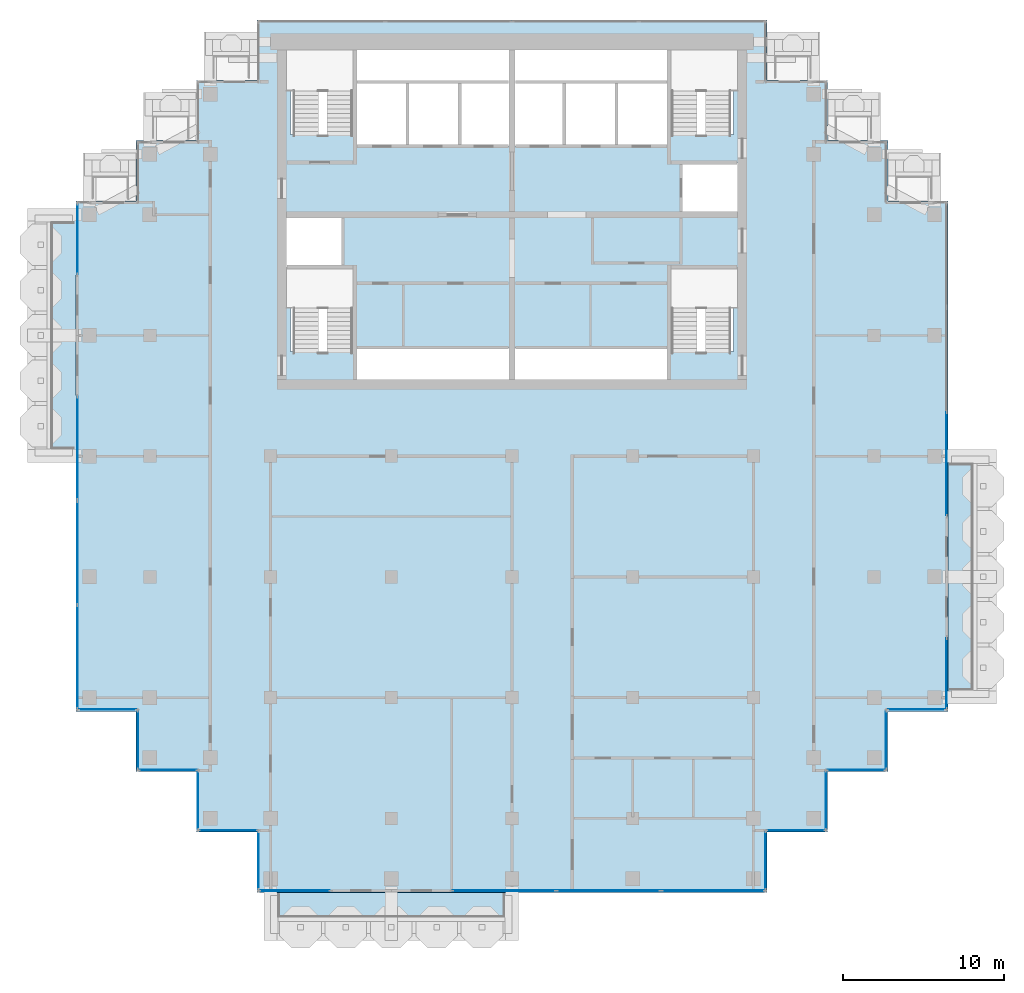
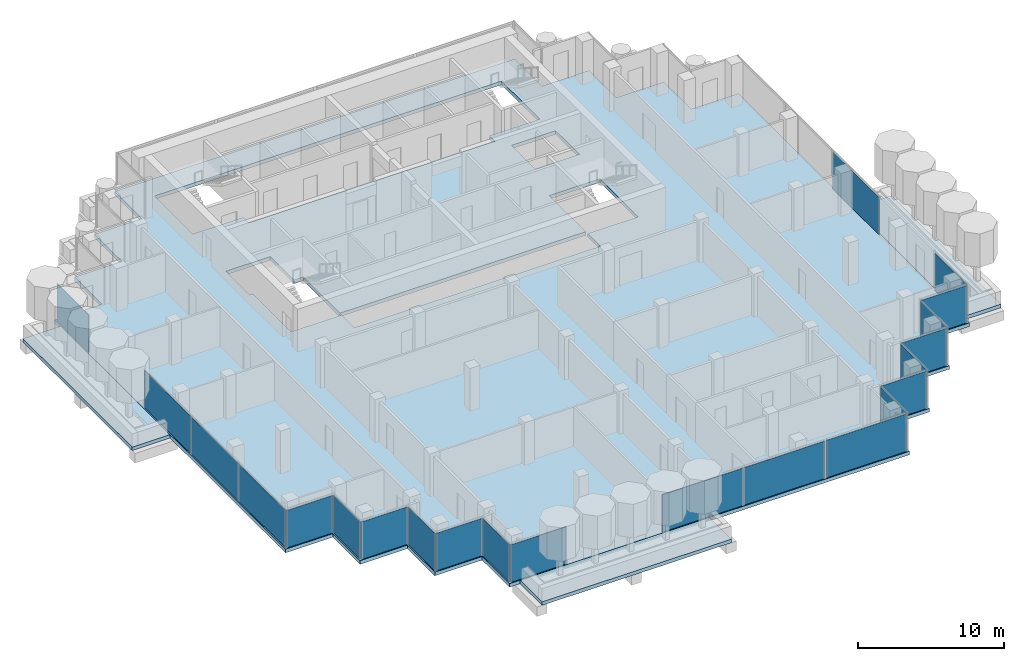
# One storey, part 8 of 18: 22 plates, 4 slabs, 20 elements without a shape of their own.
"""IFC4 building model written with IfcOpenShell, lengths in metres."""

import ifcopenshell
import ifcopenshell.guid

model = None  # the IFC model being written
_history = None  # IfcOwnerHistory: only IFC2X3 demands one
_inside = {}  # id of a spatial element -> (the spatial element, [elements in it])
_under = {}  # id of a project, library or spatial element -> (it, [spatial elements below it])
_declared = {}  # id of a project -> (the project, [libraries it declares])
_typed = {}  # id of a type object -> (the type object, [elements of that type])
_made_of = {}  # id of a material, layer set ... -> (it, [elements and type objects made of it])


def new_model(schema):
    """Start an empty IFC model of exactly this schema.

    Asked for "IFC4X3", IfcOpenShell would pick the latest addendum, in which some entities
    have other attributes; the version numbers below select the first issue.
    IFC2X3 requires an IfcOwnerHistory on every rooted entity: one is made here for all.
    """
    global model, _history
    if schema == "IFC4X3":
        model = ifcopenshell.file(schema_version=(4, 3, 0, 0))
    else:
        model = ifcopenshell.file(schema=schema)
    _inside.clear()
    _under.clear()
    _declared.clear()
    _typed.clear()
    _made_of.clear()
    _history = None
    if model.schema == "IFC2X3":
        org = make("IfcOrganization", Name="unknown")
        user = make(
            "IfcPersonAndOrganization",
            ThePerson=make("IfcPerson", FamilyName="unknown"),
            TheOrganization=org,
        )
        app = make(
            "IfcApplication",
            ApplicationDeveloper=org,
            Version="unknown",
            ApplicationFullName="unknown",
            ApplicationIdentifier="unknown",
        )
        _history = make(
            "IfcOwnerHistory",
            OwningUser=user,
            OwningApplication=app,
            ChangeAction="ADDED",
            CreationDate=0,
        )
    return model


def make(cls, **values):
    """One entity of the class cls with the attributes given. An attribute that is None is left unset."""
    return model.create_entity(
        cls, **{name: value for name, value in values.items() if value is not None}
    )


def rooted(cls, **values):
    """An entity with a GlobalId (a new one), such as an element, a storey or a relation."""
    return make(cls, GlobalId=ifcopenshell.guid.new(), OwnerHistory=_history, **values)


def si_unit(unit_type, name, prefix=None):
    """IfcSIUnit, for example si_unit("LENGTHUNIT", "METRE", prefix="MILLI")."""
    return make("IfcSIUnit", UnitType=unit_type, Prefix=prefix, Name=name)


def assignment(units):
    """IfcUnitAssignment: the units of a project."""
    return None if units is None else make("IfcUnitAssignment", Units=units)


def point(xyz):
    """IfcCartesianPoint."""
    return None if xyz is None else make("IfcCartesianPoint", Coordinates=xyz)


def direction(xyz):
    """IfcDirection."""
    return None if xyz is None else make("IfcDirection", DirectionRatios=xyz)


def frame(location, z_axis=None, x_axis=None):
    """IfcAxis2Placement3D, a coordinate frame: its origin and axes. An axis left out is left unset."""
    return make(
        "IfcAxis2Placement3D",
        Location=point(location),
        Axis=direction(z_axis),
        RefDirection=direction(x_axis),
    )


def frame_2d(location, x_axis=None):
    """IfcAxis2Placement2D, a coordinate frame in the plane: its origin and x axis."""
    return make(
        "IfcAxis2Placement2D", Location=point(location), RefDirection=direction(x_axis)
    )


def origin():
    """The frame at (0, 0, 0) with its axes left unset."""
    return frame((0.0, 0.0, 0.0))


def origin_2d():
    """The frame at (0, 0) in the plane with its x axis left unset."""
    return frame_2d((0.0, 0.0))


def place(relative_to, where):
    """IfcLocalPlacement: puts the frame where relative to a parent placement (None: the world)."""
    return make(
        "IfcLocalPlacement", PlacementRelTo=relative_to, RelativePlacement=where
    )


def context(
    kind, dimensions, precision=None, world=None, true_north=None, identifier=None
):
    """IfcGeometricRepresentationContext, for example the 3D "Model" context."""
    return make(
        "IfcGeometricRepresentationContext",
        ContextIdentifier=identifier,
        ContextType=kind,
        CoordinateSpaceDimension=dimensions,
        Precision=precision,
        WorldCoordinateSystem=world,
        TrueNorth=true_north,
    )


def subcontext(parent, identifier, kind, view, scale=None):
    """IfcGeometricRepresentationSubContext, for example "Body" below "Model"."""
    return make(
        "IfcGeometricRepresentationSubContext",
        ContextIdentifier=identifier,
        ContextType=kind,
        ParentContext=parent,
        TargetScale=scale,
        TargetView=view,
    )


def project(units=None, contexts=None):
    """IfcProject with its units and contexts."""
    return rooted(
        "IfcProject",
        Name="project",
        RepresentationContexts=contexts,
        UnitsInContext=assignment(units),
    )


def spatial(cls, under=None, at=None, **own):
    """A site, building, storey or space (cls), placed at a placement, below another one or the project."""
    s = rooted(cls, ObjectPlacement=at, **own)
    if under is not None:
        _under.setdefault(under.id(), (under, []))[1].append(s)
    return s


def polyline(points):
    """IfcPolyline through the points."""
    return make("IfcPolyline", Points=[point(p) for p in points])


def profile(cls, at=None, kind="AREA", **sizes):
    """A parametric profile (cls). Its sizes go by their IFC names, for example OverallWidth=200.0."""
    return make(cls, ProfileType=kind, Position=at, **sizes)


def rectangle(**sizes):
    """IfcRectangleProfileDef."""
    return profile("IfcRectangleProfileDef", **sizes)


def outline(outer, holes=None, kind="AREA"):
    """IfcArbitraryClosedProfileDef: a profile drawn as a closed curve; with holes, ...WithVoids."""
    if holes is None:
        return make("IfcArbitraryClosedProfileDef", ProfileType=kind, OuterCurve=outer)
    return make(
        "IfcArbitraryProfileDefWithVoids",
        ProfileType=kind,
        OuterCurve=outer,
        InnerCurves=holes,
    )


def extrude(swept, where, along, depth):
    """IfcExtrudedAreaSolid: the profile swept, set in the frame where, extruded along a direction by depth."""
    return make(
        "IfcExtrudedAreaSolid",
        SweptArea=swept,
        Position=where,
        ExtrudedDirection=direction(along),
        Depth=depth,
    )


def shape(context_of_items, identifier, shape_type, items):
    """IfcShapeRepresentation: the items that make up one representation, for example the "Body"."""
    return make(
        "IfcShapeRepresentation",
        ContextOfItems=context_of_items,
        RepresentationIdentifier=identifier,
        RepresentationType=shape_type,
        Items=items,
    )


def material(Name=None, Category=None):
    """IfcMaterial."""
    return make("IfcMaterial", Name=Name, Category=Category)


def layer(
    of_material, thickness, ventilated=None, Name=None, Category=None, Priority=None
):
    """IfcMaterialLayer: one layer of a wall or slab, of a material (None: an air gap)."""
    return make(
        "IfcMaterialLayer",
        Material=of_material,
        LayerThickness=thickness,
        IsVentilated=ventilated,
        Name=Name,
        Category=Category,
        Priority=Priority,
    )


def layer_set(layers, Name=None):
    """IfcMaterialLayerSet."""
    return make("IfcMaterialLayerSet", MaterialLayers=layers, LayerSetName=Name)


def made_of(thing, what):
    """Note that an element or type object is made of a material, layer set ...; save() writes the relation."""
    if what is not None:
        _made_of.setdefault(what.id(), (what, []))[1].append(thing)
    return thing


def type_object(cls, material=None, **own):
    """A type object (cls), such as IfcWallType, which elements share."""
    return made_of(rooted(cls, **own), material)


def element(
    cls,
    number,
    at=None,
    inside=None,
    cuts=None,
    type_object=None,
    material=None,
    context=None,
    identifier="Body",
    shape_type=None,
    held_by="IfcProductDefinitionShape",
    body=None,
    shapes=None,
    **own,
):
    """One element of the class cls, such as IfcWall. Its Tag is "e" and its number.

    at: its placement. inside: the storey or other place that contains it. cuts: it is an
    opening in that element (IfcRelVoidsElement). A single representation is given by context,
    identifier, shape_type and body (its items); several are given by shapes. held_by: the class
    of the entity that holds the representations. save() writes the other relations.
    """
    e = rooted(cls, Tag="e%d" % number, ObjectPlacement=at, **own)
    if body is not None:
        shapes = [shape(context, identifier, shape_type, body)]
    if shapes is not None:
        e.Representation = make(held_by, Representations=shapes)
    if inside is not None:
        _inside.setdefault(inside.id(), (inside, []))[1].append(e)
    if cuts is not None:
        rooted(
            "IfcRelVoidsElement", RelatingBuildingElement=cuts, RelatedOpeningElement=e
        )
    if type_object is not None:
        _typed.setdefault(type_object.id(), (type_object, []))[1].append(e)
    return made_of(e, material)


def aggregate(whole, parts):
    """IfcRelAggregates: a whole, such as a stair, and the parts it consists of."""
    return rooted("IfcRelAggregates", RelatingObject=whole, RelatedObjects=parts)


def save(model, path):
    """Write the relations noted so far, then the file.

    IfcRelAggregates (storeys below a building ...), IfcRelContainedInSpatialStructure (elements
    in a storey), IfcRelDefinesByType, IfcRelAssociatesMaterial and IfcRelDeclares: one each for
    every whole, place, type object, material and project.
    """
    for whole, parts in _under.values():
        aggregate(whole, parts)
    for where, things in _inside.values():
        rooted(
            "IfcRelContainedInSpatialStructure",
            RelatedElements=things,
            RelatingStructure=where,
        )
    for kind, things in _typed.values():
        rooted("IfcRelDefinesByType", RelatedObjects=things, RelatingType=kind)
    for what, things in _made_of.values():
        rooted("IfcRelAssociatesMaterial", RelatedObjects=things, RelatingMaterial=what)
    for by, libraries in _declared.values():
        rooted("IfcRelDeclares", RelatingContext=by, RelatedDefinitions=libraries)
    model.write(path)


model = new_model("IFC4")

# Units and contexts
model_context = context("Model", 3, precision=1e-05, world=origin(), true_north=direction((0.0, 1.0)))
body_context = subcontext(model_context, "Body", "Model", "MODEL_VIEW")
ifc_project = project(units=[si_unit("LENGTHUNIT", "METRE"), si_unit("AREAUNIT", "SQUARE_METRE"), si_unit("VOLUMEUNIT", "CUBIC_METRE"), si_unit("PLANEANGLEUNIT", "RADIAN"), si_unit("MASSUNIT", "GRAM", prefix="KILO")], contexts=[model_context])

# Site, building, storey
site_placement = place(None, origin())
site = spatial("IfcSite", under=ifc_project, at=site_placement, CompositionType="ELEMENT")
building_placement = place(site_placement, origin())
building = spatial("IfcBuilding", under=site, at=building_placement, Name="Pilkhan Gate Tower", CompositionType="ELEMENT")
storey_placement = place(building_placement, frame((0.0, 0.0, 228.300048828125)))
storey = spatial("IfcBuildingStorey", under=building, at=storey_placement, Name="L59", CompositionType="ELEMENT", Elevation=228.300048828125)

# Slabs
ifc_material_1 = material(Name="Concrete C60/75", Category="concrete")
ifc_layer_1 = layer(ifc_material_1, 0.300048828125)
ifc_layer_set_1 = layer_set([ifc_layer_1], Name="Balcony tray slab TR300")
slab_type_1 = type_object("IfcSlabType", Name="Balcony tray slab TR300", PredefinedType="FLOOR", material=ifc_layer_set_1)
slab_1_placement = place(storey_placement, frame((0.0, 0.0, -0.300048828125)))
element("IfcSlab", 1, at=slab_1_placement, inside=storey, type_object=slab_type_1, Name="Balcony tray L59 S", PredefinedType="FLOOR", context=body_context, shape_type="SweptSolid", body=[
    extrude(outline(polyline([(75.0, 37.39990234375), (75.0, 40.39990234375), (60.0, 40.39990234375), (60.0, 37.39990234375), (75.0, 37.39990234375)])), origin(), (0.0, 0.0, 1.0), 0.300048828125),
])
slab_2_placement = place(storey_placement, frame((0.0, 0.0, -0.300048828125)))
element("IfcSlab", 2, at=slab_2_placement, inside=storey, type_object=slab_type_1, Name="Balcony tray L59 E", PredefinedType="FLOOR", context=body_context, shape_type="SweptSolid", body=[
    extrude(outline(polyline([(105.10009765625, 52.5), (105.10009765625, 67.5), (102.10009765625, 67.5), (102.10009765625, 52.5), (105.10009765625, 52.5)])), origin(), (0.0, 0.0, 1.0), 0.300048828125),
])
slab_3_placement = place(storey_placement, frame((0.0, 0.0, -0.300048828125)))
element("IfcSlab", 3, at=slab_3_placement, inside=storey, type_object=slab_type_1, Name="Balcony tray L59 W", PredefinedType="FLOOR", context=body_context, shape_type="SweptSolid", body=[
    extrude(outline(polyline([(47.89990234375, 67.5), (47.89990234375, 82.5), (44.89990234375, 82.5), (44.89990234375, 67.5), (47.89990234375, 67.5)])), origin(), (0.0, 0.0, 1.0), 0.300048828125),
])
ifc_material_2 = material(Name="Concrete C40/50", Category="concrete")
ifc_layer_2 = layer(ifc_material_2, 0.300048828125)
ifc_layer_set_2 = layer_set([ifc_layer_2], Name="Flat plate slab FP300")
slab_type_2 = type_object("IfcSlabType", Name="Flat plate slab FP300", PredefinedType="FLOOR", material=ifc_layer_set_2)
slab_4_placement = place(storey_placement, frame((0.0, 0.0, -0.300048828125)))
element("IfcSlab", 4, at=slab_4_placement, inside=storey, type_object=slab_type_2, Name="Floor slab L59", PredefinedType="FLOOR", context=body_context, shape_type="SweptSolid", body=[
    extrude(outline(polyline([(98.35009765625, 47.89990234375), (94.60009765625, 47.89990234375), (94.60009765625, 44.14990234375), (90.85009765625, 44.14990234375), (90.85009765625, 40.39990234375), (59.14990234375, 40.39990234375), (59.14990234375, 44.14990234375), (55.39990234375, 44.14990234375), (55.39990234375, 47.89990234375), (51.64990234375, 47.89990234375), (51.64990234375, 51.64990234375), (47.89990234375, 51.64990234375), (47.89990234375, 83.35009765625), (51.64990234375, 83.35009765625), (51.64990234375, 87.10009765625), (55.39990234375, 87.10009765625), (55.39990234375, 90.85009765625), (59.14990234375, 90.85009765625), (59.14990234375, 94.60009765625), (90.85009765625, 94.60009765625), (90.85009765625, 90.85009765625), (94.60009765625, 90.85009765625), (94.60009765625, 87.10009765625), (98.35009765625, 87.10009765625), (98.35009765625, 83.35009765625), (102.10009765625, 83.35009765625), (102.10009765625, 51.64990234375), (98.35009765625, 51.64990234375), (98.35009765625, 47.89990234375)]), holes=[polyline([(75.0, 72.25), (84.75, 72.25), (84.75, 74.0), (88.75, 74.0), (88.75, 79.25), (84.75, 79.25), (84.75, 74.25), (75.0, 74.25), (65.25, 74.25), (65.25, 79.25), (64.5, 79.25), (64.5, 82.5), (61.25, 82.5), (61.0, 82.5), (61.0, 79.25), (61.25, 79.25), (61.25, 74.0), (65.25, 74.0), (65.25, 72.25), (75.0, 72.25)]), polyline([(68.5, 86.75), (71.75, 86.75), (75.0, 86.75), (78.25, 86.75), (81.5, 86.75), (84.75, 86.75), (84.75, 87.5), (88.75, 87.5), (88.75, 92.75), (84.75, 92.75), (75.0, 92.75), (65.25, 92.75), (61.25, 92.75), (61.25, 87.5), (65.25, 87.5), (65.25, 86.75), (68.5, 86.75)]), polyline([(85.5, 85.75), (85.5, 82.5), (88.75, 82.5), (89.0, 82.5), (89.0, 85.75), (88.75, 85.75), (85.5, 85.75)])]), origin(), (0.0, 0.0, 1.0), 0.300048828125),
])

# Curtain wall, plate
ifc_material_3 = material(Name="Pale anodised aluminium, clear low-iron double glazing", Category="aluminium")
curtain_wall_type = type_object("IfcCurtainWallType", Name="Office unitised curtain wall CW-O2", PredefinedType="USERDEFINED", material=ifc_material_3)
curtain_wall_1_placement = place(storey_placement, origin())
curtain_wall_1 = element("IfcCurtainWall", 5, at=curtain_wall_1_placement, inside=storey, type_object=curtain_wall_type, Name="Office unitised curtain wall CW-O2 L59 E", ObjectType="UNITISED CURTAIN WALL", PredefinedType="USERDEFINED")
ifc_material_4 = material(Name="Clear low-iron double glazing", Category="glass")
ifc_layer_3 = layer(ifc_material_4, 0.031982421875)
ifc_layer_set_3 = layer_set([ifc_layer_3], Name="Glass panel CW-O2 32")
plate_type = type_object("IfcPlateType", Name="Glass panel CW-O2 32", PredefinedType="CURTAIN_PANEL", material=ifc_layer_set_3)
plate_1_placement = place(storey_placement, frame((102.0, 54.0, 0.0), z_axis=(0.0, 0.0, 1.0), x_axis=(0.0, 1.0, 0.0)))
plate_1 = element("IfcPlate", 6, at=plate_1_placement, type_object=plate_type, Name="CW-O2 panel 1", PredefinedType="CURTAIN_PANEL", context=body_context, shape_type="SweptSolid", body=[
    extrude(rectangle(XDim=4.3701171875, YDim=0.031982421875, at=origin_2d()), origin(), (0.0, 0.0, 1.0), 3.135009765625),
])
aggregate(curtain_wall_1, [plate_1])

curtain_wall_2_placement = place(storey_placement, origin())
curtain_wall_2 = element("IfcCurtainWall", 7, at=curtain_wall_2_placement, inside=storey, type_object=curtain_wall_type, Name="Office unitised curtain wall CW-O2 L59 E", ObjectType="UNITISED CURTAIN WALL", PredefinedType="USERDEFINED")
plate_2_placement = place(storey_placement, frame((102.0, 67.016357421875, 0.0), z_axis=(0.0, 0.0, 1.0), x_axis=(0.0, 1.0, 0.0)))
plate_2 = element("IfcPlate", 8, at=plate_2_placement, type_object=plate_type, Name="CW-O2 panel 1", PredefinedType="CURTAIN_PANEL", context=body_context, shape_type="SweptSolid", body=[
    extrude(rectangle(XDim=6.402587890625, YDim=0.031982421875, at=origin_2d()), origin(), (0.0, 0.0, 1.0), 3.135009765625),
])
aggregate(curtain_wall_2, [plate_2])

# Curtain wall, plates
curtain_wall_3_placement = place(storey_placement, origin())
curtain_wall_3 = element("IfcCurtainWall", 9, at=curtain_wall_3_placement, inside=storey, type_object=curtain_wall_type, Name="Office unitised curtain wall CW-O2 L59 W", ObjectType="UNITISED CURTAIN WALL", PredefinedType="USERDEFINED")
plate_3_placement = place(storey_placement, frame((48.0, 55.016357421875, 0.0), z_axis=(0.0, 0.0, 1.0), x_axis=(0.0, 1.0, 0.0)))
plate_3 = element("IfcPlate", 10, at=plate_3_placement, type_object=plate_type, Name="CW-O2 panel 1", PredefinedType="CURTAIN_PANEL", context=body_context, shape_type="SweptSolid", body=[
    extrude(rectangle(XDim=6.402587890625, YDim=0.031982421875, at=origin_2d()), origin(), (0.0, 0.0, 1.0), 3.135009765625),
])
plate_4_placement = place(storey_placement, frame((48.0, 61.483642578125, 0.0), z_axis=(0.0, 0.0, 1.0), x_axis=(0.0, 1.0, 0.0)))
plate_4 = element("IfcPlate", 11, at=plate_4_placement, type_object=plate_type, Name="CW-O2 panel 2", PredefinedType="CURTAIN_PANEL", context=body_context, shape_type="SweptSolid", body=[
    extrude(rectangle(XDim=6.402587890625, YDim=0.031982421875, at=origin_2d()), origin(), (0.0, 0.0, 1.0), 3.135009765625),
])
aggregate(curtain_wall_3, [plate_3, plate_4])

# Curtain wall, plate
curtain_wall_4_placement = place(storey_placement, origin())
curtain_wall_4 = element("IfcCurtainWall", 12, at=curtain_wall_4_placement, inside=storey, type_object=curtain_wall_type, Name="Office unitised curtain wall CW-O2 L59 W", ObjectType="UNITISED CURTAIN WALL", PredefinedType="USERDEFINED")
plate_5_placement = place(storey_placement, frame((48.0, 68.0, 0.0), z_axis=(0.0, 0.0, 1.0), x_axis=(0.0, 1.0, 0.0)))
plate_5 = element("IfcPlate", 13, at=plate_5_placement, type_object=plate_type, Name="CW-O2 panel 1", PredefinedType="CURTAIN_PANEL", context=body_context, shape_type="SweptSolid", body=[
    extrude(rectangle(XDim=6.3701171875, YDim=0.031982421875, at=origin_2d()), origin(), (0.0, 0.0, 1.0), 3.135009765625),
])
aggregate(curtain_wall_4, [plate_5])

curtain_wall_5_placement = place(storey_placement, origin())
curtain_wall_5 = element("IfcCurtainWall", 14, at=curtain_wall_5_placement, inside=storey, type_object=curtain_wall_type, Name="Office unitised curtain wall CW-O2 L59 W", ObjectType="UNITISED CURTAIN WALL", PredefinedType="USERDEFINED")
plate_6_placement = place(storey_placement, frame((48.0, 81.0, 0.0), z_axis=(0.0, 0.0, 1.0), x_axis=(0.0, 1.0, 0.0)))
plate_6 = element("IfcPlate", 15, at=plate_6_placement, type_object=plate_type, Name="CW-O2 panel 1", PredefinedType="CURTAIN_PANEL", context=body_context, shape_type="SweptSolid", body=[
    extrude(rectangle(XDim=4.3701171875, YDim=0.031982421875, at=origin_2d()), origin(), (0.0, 0.0, 1.0), 3.135009765625),
])
aggregate(curtain_wall_5, [plate_6])

curtain_wall_6_placement = place(storey_placement, origin())
curtain_wall_6 = element("IfcCurtainWall", 16, at=curtain_wall_6_placement, inside=storey, type_object=curtain_wall_type, Name="Office unitised curtain wall CW-O2 L59 S", ObjectType="UNITISED CURTAIN WALL", PredefinedType="USERDEFINED")
plate_7_placement = place(storey_placement, frame((49.875, 51.75, 0.0), z_axis=(0.0, 0.0, 1.0), x_axis=(1.0, 0.0, 0.0)))
plate_7 = element("IfcPlate", 17, at=plate_7_placement, type_object=plate_type, Name="CW-O2 panel 1", PredefinedType="CURTAIN_PANEL", context=body_context, shape_type="SweptSolid", body=[
    extrude(rectangle(XDim=3.6201171875, YDim=0.031982421875, at=origin_2d()), origin(), (0.0, 0.0, 1.0), 3.135009765625),
])
aggregate(curtain_wall_6, [plate_7])

curtain_wall_7_placement = place(storey_placement, origin())
curtain_wall_7 = element("IfcCurtainWall", 18, at=curtain_wall_7_placement, inside=storey, type_object=curtain_wall_type, Name="Office unitised curtain wall CW-O2 L59 W", ObjectType="UNITISED CURTAIN WALL", PredefinedType="USERDEFINED")
plate_8_placement = place(storey_placement, frame((51.75, 49.875, 0.0), z_axis=(0.0, 0.0, 1.0), x_axis=(0.0, 1.0, 0.0)))
plate_8 = element("IfcPlate", 19, at=plate_8_placement, type_object=plate_type, Name="CW-O2 panel 1", PredefinedType="CURTAIN_PANEL", context=body_context, shape_type="SweptSolid", body=[
    extrude(rectangle(XDim=3.6201171875, YDim=0.031982421875, at=origin_2d()), origin(), (0.0, 0.0, 1.0), 3.135009765625),
])
aggregate(curtain_wall_7, [plate_8])

curtain_wall_8_placement = place(storey_placement, origin())
curtain_wall_8 = element("IfcCurtainWall", 20, at=curtain_wall_8_placement, inside=storey, type_object=curtain_wall_type, Name="Office unitised curtain wall CW-O2 L59 S", ObjectType="UNITISED CURTAIN WALL", PredefinedType="USERDEFINED")
plate_9_placement = place(storey_placement, frame((53.625, 48.0, 0.0), z_axis=(0.0, 0.0, 1.0), x_axis=(1.0, 0.0, 0.0)))
plate_9 = element("IfcPlate", 21, at=plate_9_placement, type_object=plate_type, Name="CW-O2 panel 1", PredefinedType="CURTAIN_PANEL", context=body_context, shape_type="SweptSolid", body=[
    extrude(rectangle(XDim=3.6201171875, YDim=0.031982421875, at=origin_2d()), origin(), (0.0, 0.0, 1.0), 3.135009765625),
])
aggregate(curtain_wall_8, [plate_9])

curtain_wall_9_placement = place(storey_placement, origin())
curtain_wall_9 = element("IfcCurtainWall", 22, at=curtain_wall_9_placement, inside=storey, type_object=curtain_wall_type, Name="Office unitised curtain wall CW-O2 L59 W", ObjectType="UNITISED CURTAIN WALL", PredefinedType="USERDEFINED")
plate_10_placement = place(storey_placement, frame((55.5, 46.125, 0.0), z_axis=(0.0, 0.0, 1.0), x_axis=(0.0, 1.0, 0.0)))
plate_10 = element("IfcPlate", 23, at=plate_10_placement, type_object=plate_type, Name="CW-O2 panel 1", PredefinedType="CURTAIN_PANEL", context=body_context, shape_type="SweptSolid", body=[
    extrude(rectangle(XDim=3.6201171875, YDim=0.031982421875, at=origin_2d()), origin(), (0.0, 0.0, 1.0), 3.135009765625),
])
aggregate(curtain_wall_9, [plate_10])

curtain_wall_10_placement = place(storey_placement, origin())
curtain_wall_10 = element("IfcCurtainWall", 24, at=curtain_wall_10_placement, inside=storey, type_object=curtain_wall_type, Name="Office unitised curtain wall CW-O2 L59 S", ObjectType="UNITISED CURTAIN WALL", PredefinedType="USERDEFINED")
plate_11_placement = place(storey_placement, frame((57.375, 44.25, 0.0), z_axis=(0.0, 0.0, 1.0), x_axis=(1.0, 0.0, 0.0)))
plate_11 = element("IfcPlate", 25, at=plate_11_placement, type_object=plate_type, Name="CW-O2 panel 1", PredefinedType="CURTAIN_PANEL", context=body_context, shape_type="SweptSolid", body=[
    extrude(rectangle(XDim=3.6201171875, YDim=0.031982421875, at=origin_2d()), origin(), (0.0, 0.0, 1.0), 3.135009765625),
])
aggregate(curtain_wall_10, [plate_11])

curtain_wall_11_placement = place(storey_placement, origin())
curtain_wall_11 = element("IfcCurtainWall", 26, at=curtain_wall_11_placement, inside=storey, type_object=curtain_wall_type, Name="Office unitised curtain wall CW-O2 L59 W", ObjectType="UNITISED CURTAIN WALL", PredefinedType="USERDEFINED")
plate_12_placement = place(storey_placement, frame((59.25, 42.375, 0.0), z_axis=(0.0, 0.0, 1.0), x_axis=(0.0, 1.0, 0.0)))
plate_12 = element("IfcPlate", 27, at=plate_12_placement, type_object=plate_type, Name="CW-O2 panel 1", PredefinedType="CURTAIN_PANEL", context=body_context, shape_type="SweptSolid", body=[
    extrude(rectangle(XDim=3.6201171875, YDim=0.031982421875, at=origin_2d()), origin(), (0.0, 0.0, 1.0), 3.135009765625),
])
aggregate(curtain_wall_11, [plate_12])

curtain_wall_12_placement = place(storey_placement, origin())
curtain_wall_12 = element("IfcCurtainWall", 28, at=curtain_wall_12_placement, inside=storey, type_object=curtain_wall_type, Name="Office unitised curtain wall CW-O2 L59 S", ObjectType="UNITISED CURTAIN WALL", PredefinedType="USERDEFINED")
plate_13_placement = place(storey_placement, frame((61.5, 40.5, 0.0), z_axis=(0.0, 0.0, 1.0), x_axis=(1.0, 0.0, 0.0)))
plate_13 = element("IfcPlate", 29, at=plate_13_placement, type_object=plate_type, Name="CW-O2 panel 1", PredefinedType="CURTAIN_PANEL", context=body_context, shape_type="SweptSolid", body=[
    extrude(rectangle(XDim=4.3701171875, YDim=0.031982421875, at=origin_2d()), origin(), (0.0, 0.0, 1.0), 3.135009765625),
])
aggregate(curtain_wall_12, [plate_13])

# Curtain wall, plates
curtain_wall_13_placement = place(storey_placement, origin())
curtain_wall_13 = element("IfcCurtainWall", 30, at=curtain_wall_13_placement, inside=storey, type_object=curtain_wall_type, Name="Office unitised curtain wall CW-O2 L59 S", ObjectType="UNITISED CURTAIN WALL", PredefinedType="USERDEFINED")
plate_14_placement = place(storey_placement, frame((74.516357421875, 40.5, 0.0), z_axis=(0.0, 0.0, 1.0), x_axis=(1.0, 0.0, 0.0)))
plate_14 = element("IfcPlate", 31, at=plate_14_placement, type_object=plate_type, Name="CW-O2 panel 1", PredefinedType="CURTAIN_PANEL", context=body_context, shape_type="SweptSolid", body=[
    extrude(rectangle(XDim=6.402587890625, YDim=0.031982421875, at=origin_2d()), origin(), (0.0, 0.0, 1.0), 3.135009765625),
])
plate_15_placement = place(storey_placement, frame((80.983642578125, 40.5, 0.0), z_axis=(0.0, 0.0, 1.0), x_axis=(1.0, 0.0, 0.0)))
plate_15 = element("IfcPlate", 32, at=plate_15_placement, type_object=plate_type, Name="CW-O2 panel 2", PredefinedType="CURTAIN_PANEL", context=body_context, shape_type="SweptSolid", body=[
    extrude(rectangle(XDim=6.402587890625, YDim=0.031982421875, at=origin_2d()), origin(), (0.0, 0.0, 1.0), 3.135009765625),
])
aggregate(curtain_wall_13, [plate_14, plate_15])

# Curtain wall, plate
curtain_wall_14_placement = place(storey_placement, origin())
curtain_wall_14 = element("IfcCurtainWall", 33, at=curtain_wall_14_placement, inside=storey, type_object=curtain_wall_type, Name="Office unitised curtain wall CW-O2 L59 S", ObjectType="UNITISED CURTAIN WALL", PredefinedType="USERDEFINED")
plate_16_placement = place(storey_placement, frame((87.5, 40.5, 0.0), z_axis=(0.0, 0.0, 1.0), x_axis=(1.0, 0.0, 0.0)))
plate_16 = element("IfcPlate", 34, at=plate_16_placement, type_object=plate_type, Name="CW-O2 panel 1", PredefinedType="CURTAIN_PANEL", context=body_context, shape_type="SweptSolid", body=[
    extrude(rectangle(XDim=6.3701171875, YDim=0.031982421875, at=origin_2d()), origin(), (0.0, 0.0, 1.0), 3.135009765625),
])
aggregate(curtain_wall_14, [plate_16])

curtain_wall_15_placement = place(storey_placement, origin())
curtain_wall_15 = element("IfcCurtainWall", 35, at=curtain_wall_15_placement, inside=storey, type_object=curtain_wall_type, Name="Office unitised curtain wall CW-O2 L59 E", ObjectType="UNITISED CURTAIN WALL", PredefinedType="USERDEFINED")
plate_17_placement = place(storey_placement, frame((90.75, 42.375, 0.0), z_axis=(0.0, 0.0, 1.0), x_axis=(0.0, 1.0, 0.0)))
plate_17 = element("IfcPlate", 36, at=plate_17_placement, type_object=plate_type, Name="CW-O2 panel 1", PredefinedType="CURTAIN_PANEL", context=body_context, shape_type="SweptSolid", body=[
    extrude(rectangle(XDim=3.6201171875, YDim=0.031982421875, at=origin_2d()), origin(), (0.0, 0.0, 1.0), 3.135009765625),
])
aggregate(curtain_wall_15, [plate_17])

curtain_wall_16_placement = place(storey_placement, origin())
curtain_wall_16 = element("IfcCurtainWall", 37, at=curtain_wall_16_placement, inside=storey, type_object=curtain_wall_type, Name="Office unitised curtain wall CW-O2 L59 S", ObjectType="UNITISED CURTAIN WALL", PredefinedType="USERDEFINED")
plate_18_placement = place(storey_placement, frame((92.625, 44.25, 0.0), z_axis=(0.0, 0.0, 1.0), x_axis=(1.0, 0.0, 0.0)))
plate_18 = element("IfcPlate", 38, at=plate_18_placement, type_object=plate_type, Name="CW-O2 panel 1", PredefinedType="CURTAIN_PANEL", context=body_context, shape_type="SweptSolid", body=[
    extrude(rectangle(XDim=3.6201171875, YDim=0.031982421875, at=origin_2d()), origin(), (0.0, 0.0, 1.0), 3.135009765625),
])
aggregate(curtain_wall_16, [plate_18])

curtain_wall_17_placement = place(storey_placement, origin())
curtain_wall_17 = element("IfcCurtainWall", 39, at=curtain_wall_17_placement, inside=storey, type_object=curtain_wall_type, Name="Office unitised curtain wall CW-O2 L59 E", ObjectType="UNITISED CURTAIN WALL", PredefinedType="USERDEFINED")
plate_19_placement = place(storey_placement, frame((94.5, 46.125, 0.0), z_axis=(0.0, 0.0, 1.0), x_axis=(0.0, 1.0, 0.0)))
plate_19 = element("IfcPlate", 40, at=plate_19_placement, type_object=plate_type, Name="CW-O2 panel 1", PredefinedType="CURTAIN_PANEL", context=body_context, shape_type="SweptSolid", body=[
    extrude(rectangle(XDim=3.6201171875, YDim=0.031982421875, at=origin_2d()), origin(), (0.0, 0.0, 1.0), 3.135009765625),
])
aggregate(curtain_wall_17, [plate_19])

curtain_wall_18_placement = place(storey_placement, origin())
curtain_wall_18 = element("IfcCurtainWall", 41, at=curtain_wall_18_placement, inside=storey, type_object=curtain_wall_type, Name="Office unitised curtain wall CW-O2 L59 S", ObjectType="UNITISED CURTAIN WALL", PredefinedType="USERDEFINED")
plate_20_placement = place(storey_placement, frame((96.375, 48.0, 0.0), z_axis=(0.0, 0.0, 1.0), x_axis=(1.0, 0.0, 0.0)))
plate_20 = element("IfcPlate", 42, at=plate_20_placement, type_object=plate_type, Name="CW-O2 panel 1", PredefinedType="CURTAIN_PANEL", context=body_context, shape_type="SweptSolid", body=[
    extrude(rectangle(XDim=3.6201171875, YDim=0.031982421875, at=origin_2d()), origin(), (0.0, 0.0, 1.0), 3.135009765625),
])
aggregate(curtain_wall_18, [plate_20])

curtain_wall_19_placement = place(storey_placement, origin())
curtain_wall_19 = element("IfcCurtainWall", 43, at=curtain_wall_19_placement, inside=storey, type_object=curtain_wall_type, Name="Office unitised curtain wall CW-O2 L59 E", ObjectType="UNITISED CURTAIN WALL", PredefinedType="USERDEFINED")
plate_21_placement = place(storey_placement, frame((98.25, 49.875, 0.0), z_axis=(0.0, 0.0, 1.0), x_axis=(0.0, 1.0, 0.0)))
plate_21 = element("IfcPlate", 44, at=plate_21_placement, type_object=plate_type, Name="CW-O2 panel 1", PredefinedType="CURTAIN_PANEL", context=body_context, shape_type="SweptSolid", body=[
    extrude(rectangle(XDim=3.6201171875, YDim=0.031982421875, at=origin_2d()), origin(), (0.0, 0.0, 1.0), 3.135009765625),
])
aggregate(curtain_wall_19, [plate_21])

curtain_wall_20_placement = place(storey_placement, origin())
curtain_wall_20 = element("IfcCurtainWall", 45, at=curtain_wall_20_placement, inside=storey, type_object=curtain_wall_type, Name="Office unitised curtain wall CW-O2 L59 S", ObjectType="UNITISED CURTAIN WALL", PredefinedType="USERDEFINED")
plate_22_placement = place(storey_placement, frame((100.125, 51.75, 0.0), z_axis=(0.0, 0.0, 1.0), x_axis=(1.0, 0.0, 0.0)))
plate_22 = element("IfcPlate", 46, at=plate_22_placement, type_object=plate_type, Name="CW-O2 panel 1", PredefinedType="CURTAIN_PANEL", context=body_context, shape_type="SweptSolid", body=[
    extrude(rectangle(XDim=3.6201171875, YDim=0.031982421875, at=origin_2d()), origin(), (0.0, 0.0, 1.0), 3.135009765625),
])
aggregate(curtain_wall_20, [plate_22])

save(model, "model.ifc")
